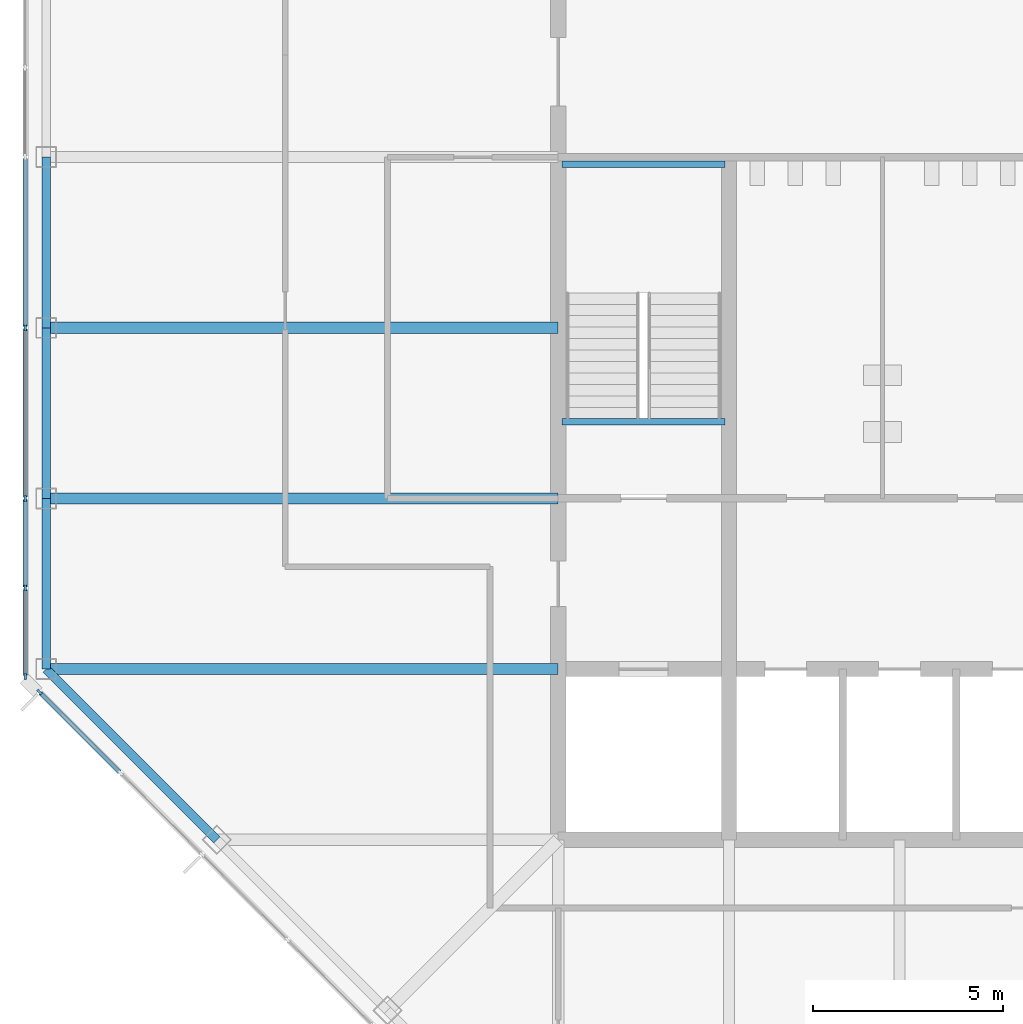
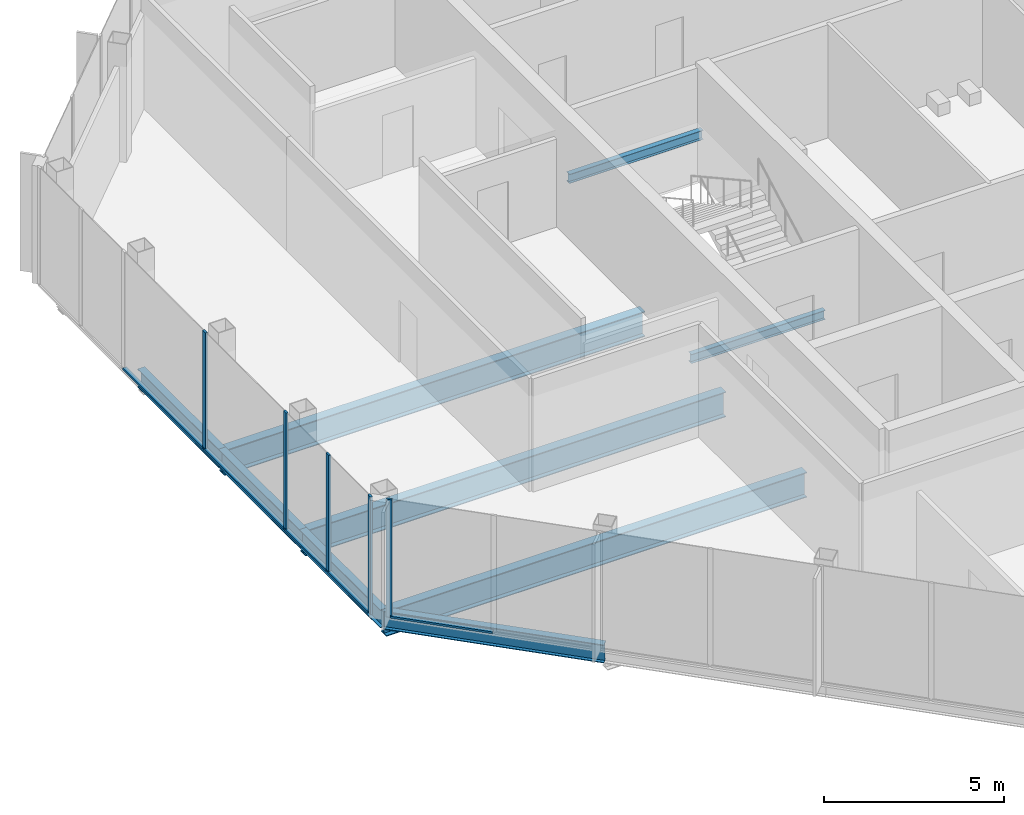
# One storey, part 3 of 13: 10 members, 9 beams, 2 elements without a shape of their own.
"""IFC4 building model written with IfcOpenShell, lengths in metres."""

from ifc_helpers import new_model, si_unit, direction, frame, origin, origin_2d, place, context, subcontext, project, spatial, rectangle, i_section, extrude, material, material_profile, profile_set, type_object, element, aggregate, save


model = new_model("IFC4")

# Units and contexts
model_context = context("Model", 3, precision=1e-05, world=origin(), true_north=direction((0.0, 1.0)))
body_context = subcontext(model_context, "Body", "Model", "MODEL_VIEW")
ifc_project = project(units=[si_unit("LENGTHUNIT", "METRE"), si_unit("AREAUNIT", "SQUARE_METRE"), si_unit("VOLUMEUNIT", "CUBIC_METRE"), si_unit("PLANEANGLEUNIT", "RADIAN"), si_unit("MASSUNIT", "GRAM", prefix="KILO")], contexts=[model_context])

# Site, building, storey
site_placement = place(None, origin())
site = spatial("IfcSite", under=ifc_project, at=site_placement, CompositionType="ELEMENT")
building_placement = place(site_placement, origin())
building = spatial("IfcBuilding", under=site, at=building_placement, Name="Corais Broadcast Tower", CompositionType="ELEMENT")
storey_placement = place(building_placement, frame((0.0, 0.0, 302.60009765625)))
storey = spatial("IfcBuildingStorey", under=building, at=storey_placement, Name="L71", CompositionType="ELEMENT", Elevation=302.60009765625)

# Beams
ifc_material_1 = material(Name="Steel ASTM A572 Grade 50", Category="steel")
ifc_material_profile_1 = material_profile(ifc_material_1, i_section(OverallWidth=0.2939453125, OverallDepth=0.85107421875, WebThickness=0.01611328125, FlangeThickness=0.02685546875, at=origin_2d()), Name="W840x226")
ifc_profile_set_1 = profile_set([ifc_material_profile_1], Name="Steel ASTM A572 Grade 50")
beam_type_1 = type_object("IfcBeamType", Name="Floor beam W840x226", PredefinedType="BEAM", material=ifc_profile_set_1)
for number, where, z_axis, x_axis, name in (
    (1, (0.0, 18.0, -0.585693359375), (1.0, 0.0, 0.0), (0.0, 1.0, 0.0), "B1 E/3 to E/6"),
    (2, (0.0, 22.5, -0.585693359375), (1.0, 0.0, 0.0), (0.0, 1.0, 0.0), "B1 F/3 to F/6"),
    (3, (0.0, 27.0, -0.585693359375), (1.0, 0.0, 0.0), (0.0, 1.0, 0.0), "B1 G/3 to G/6"),
):
    element("IfcBeam", number, at=place(storey_placement, frame(where, z_axis=z_axis, x_axis=x_axis)), inside=storey, type_object=beam_type_1, Name=name, PredefinedType="BEAM", context=body_context, shape_type="SweptSolid", body=[
        extrude(i_section(OverallWidth=0.2939453125, OverallDepth=0.85107421875, WebThickness=0.01611328125, FlangeThickness=0.02685546875, at=origin_2d()), origin(), (0.0, 0.0, 1.0), 13.5),
    ])
ifc_material_2 = material(Name="Steel ASTM A572 Grade 50", Category="steel")
ifc_material_profile_2 = material_profile(ifc_material_2, i_section(OverallWidth=0.1650390625, OverallDepth=0.31005859375, WebThickness=0.005859375, FlangeThickness=0.009765625, at=origin_2d()), Name="W310x38.7")
ifc_profile_set_2 = profile_set([ifc_material_profile_2], Name="Steel ASTM A572 Grade 50")
beam_type_2 = type_object("IfcBeamType", Name="Landing trimmer W310x38.7", PredefinedType="BEAM", material=ifc_profile_set_2)
for number, where, z_axis, x_axis, name in (
    (4, (13.60009765625, 24.52490234375, -0.35498046875), (1.0, 0.0, 0.0), (0.0, 1.0, 0.0), "LT1 stair A landing trimmer L71"),
    (5, (13.60009765625, 31.31005859375, 1.64501953125), (1.0, 0.0, 0.0), (0.0, 1.0, 0.0), "LT1 stair A half landing trimmer L71"),
):
    element("IfcBeam", number, at=place(storey_placement, frame(where, z_axis=z_axis, x_axis=x_axis)), inside=storey, type_object=beam_type_2, Name=name, PredefinedType="BEAM", context=body_context, shape_type="SweptSolid", body=[
        extrude(i_section(OverallWidth=0.1650390625, OverallDepth=0.31005859375, WebThickness=0.005859375, FlangeThickness=0.009765625, at=origin_2d()), origin(), (0.0, 0.0, 1.0), 4.2998046875),
    ])

# Curtain wall, member
ifc_material_3 = material(Name="Aluminium and glass", Category="aluminium")
curtain_wall_type = type_object("IfcCurtainWallType", Name="Unitised fritted curtain wall CW3", PredefinedType="NOTDEFINED", material=ifc_material_3)
curtain_wall_1_placement = place(storey_placement, origin())
curtain_wall_1 = element("IfcCurtainWall", 6, at=curtain_wall_1_placement, inside=storey, type_object=curtain_wall_type, Name="CW3 curtain wall L71 1", PredefinedType="NOTDEFINED")
ifc_material_4 = material(Name="Aluminium 6063-T6", Category="aluminium")
ifc_material_profile_3 = material_profile(ifc_material_4, rectangle(XDim=0.06494140625, YDim=0.159912109375, at=origin_2d()), Name="Mullion CW3 65x160")
ifc_profile_set_3 = profile_set([ifc_material_profile_3], Name="Aluminium 6063-T6")
member_type_1 = type_object("IfcMemberType", Name="Mullion CW3 65x160", PredefinedType="MULLION", material=ifc_profile_set_3)
member_1_placement = place(storey_placement, frame((-0.17333984375, 17.3955078125, 0.0), z_axis=(0.0, 0.0, 1.0), x_axis=(-0.707106781187, -0.707106781187, 0.0)))
member_1 = element("IfcMember", 7, at=member_1_placement, type_object=member_type_1, Name="CW3 mullion 9", PredefinedType="MULLION", context=body_context, shape_type="SweptSolid", body=[
    extrude(rectangle(XDim=0.06494140625, YDim=0.159912109375, at=origin_2d()), origin(), (0.0, 0.0, 1.0), 4.0),
])

# Curtain wall, members
curtain_wall_2_placement = place(storey_placement, origin())
curtain_wall_2 = element("IfcCurtainWall", 8, at=curtain_wall_2_placement, inside=storey, type_object=curtain_wall_type, Name="CW3 curtain wall L71 2", PredefinedType="NOTDEFINED")
member_2_placement = place(storey_placement, frame((-0.550048828125, 17.8046875, 0.0), z_axis=(0.0, 0.0, 1.0), x_axis=(-1.0, 0.0, 0.0)))
member_2 = element("IfcMember", 9, at=member_2_placement, type_object=member_type_1, Name="CW3 mullion 1", PredefinedType="MULLION", context=body_context, shape_type="SweptSolid", body=[
    extrude(rectangle(XDim=0.06494140625, YDim=0.159912109375, at=origin_2d()), origin(), (0.0, 0.0, 1.0), 4.0),
])
member_3_placement = place(storey_placement, frame((-0.550048828125, 20.135986328125, 0.0), z_axis=(0.0, 0.0, 1.0), x_axis=(-1.0, 0.0, 0.0)))
member_3 = element("IfcMember", 10, at=member_3_placement, type_object=member_type_1, Name="CW3 mullion 2", PredefinedType="MULLION", context=body_context, shape_type="SweptSolid", body=[
    extrude(rectangle(XDim=0.06494140625, YDim=0.159912109375, at=origin_2d()), origin(), (0.0, 0.0, 1.0), 4.0),
])
member_4_placement = place(storey_placement, frame((-0.550048828125, 22.5, 0.0), z_axis=(0.0, 0.0, 1.0), x_axis=(-1.0, 0.0, 0.0)))
member_4 = element("IfcMember", 11, at=member_4_placement, type_object=member_type_1, Name="CW3 mullion 3", PredefinedType="MULLION", context=body_context, shape_type="SweptSolid", body=[
    extrude(rectangle(XDim=0.06494140625, YDim=0.159912109375, at=origin_2d()), origin(), (0.0, 0.0, 1.0), 4.0),
])
member_5_placement = place(storey_placement, frame((-0.550048828125, 27.0, 0.0), z_axis=(0.0, 0.0, 1.0), x_axis=(-1.0, 0.0, 0.0)))
member_5 = element("IfcMember", 12, at=member_5_placement, type_object=member_type_1, Name="CW3 mullion 4", PredefinedType="MULLION", context=body_context, shape_type="SweptSolid", body=[
    extrude(rectangle(XDim=0.06494140625, YDim=0.159912109375, at=origin_2d()), origin(), (0.0, 0.0, 1.0), 4.0),
])

# Beams
ifc_material_5 = material(Name="Steel ASTM A572 Grade 50", Category="steel")
ifc_material_profile_4 = material_profile(ifc_material_5, i_section(OverallWidth=0.22998046875, OverallDepth=0.616943359375, WebThickness=0.01318359375, FlangeThickness=0.022216796875, at=origin_2d()), Name="W610x140")
ifc_profile_set_4 = profile_set([ifc_material_profile_4], Name="Steel ASTM A572 Grade 50")
beam_type_3 = type_object("IfcBeamType", Name="Spandrel W610x140", PredefinedType="BEAM", material=ifc_profile_set_4)
beam_placement = place(storey_placement, frame((0.0, 18.0, -0.468505859375), z_axis=(0.707106781187, -0.707106781187, 0.0), x_axis=(0.707106781187, 0.707106781187, 0.0)))
element("IfcBeam", 13, at=beam_placement, inside=storey, type_object=beam_type_3, Name="SB3 E/3 to D/4", PredefinedType="BEAM", context=body_context, shape_type="SweptSolid", body=[
    extrude(i_section(OverallWidth=0.22998046875, OverallDepth=0.616943359375, WebThickness=0.01318359375, FlangeThickness=0.022216796875, at=origin_2d()), origin(), (0.0, 0.0, 1.0), 6.364013671875),
])
for number, where, z_axis, x_axis, name in (
    (14, (0.0, 22.5, -0.468505859375), (0.0, -1.0, 0.0), (1.0, 0.0, 0.0), "SB3 F/3 to E/3"),
    (15, (0.0, 27.0, -0.468505859375), (0.0, -1.0, 0.0), (1.0, 0.0, 0.0), "SB3 G/3 to F/3"),
    (16, (0.0, 31.5, -0.468505859375), (0.0, -1.0, 0.0), (1.0, 0.0, 0.0), "SB3 H/3 to G/3"),
):
    element("IfcBeam", number, at=place(storey_placement, frame(where, z_axis=z_axis, x_axis=x_axis)), inside=storey, type_object=beam_type_3, Name=name, PredefinedType="BEAM", context=body_context, shape_type="SweptSolid", body=[
        extrude(i_section(OverallWidth=0.22998046875, OverallDepth=0.616943359375, WebThickness=0.01318359375, FlangeThickness=0.022216796875, at=origin_2d()), origin(), (0.0, 0.0, 1.0), 4.5),
    ])

# Member
ifc_material_6 = material(Name="Aluminium 6063-T6", Category="aluminium")
ifc_material_profile_5 = material_profile(ifc_material_6, rectangle(XDim=0.1201171875, YDim=0.06494140625, at=origin_2d()), Name="Transom CW3 65x120")
ifc_profile_set_5 = profile_set([ifc_material_profile_5], Name="Aluminium 6063-T6")
member_type_2 = type_object("IfcMemberType", Name="Transom CW3 65x120", PredefinedType="USERDEFINED", material=ifc_profile_set_5)
member_6_placement = place(storey_placement, frame((1.934326171875, 15.287841796875, 0.032470703125), z_axis=(-0.707106781187, 0.707106781187, 0.0), x_axis=(-0.707106781187, -0.707106781187, 0.0)))
member_6 = element("IfcMember", 17, at=member_6_placement, type_object=member_type_2, Name="CW3 transom 8.1", ObjectType="TRANSOM", PredefinedType="USERDEFINED", context=body_context, shape_type="SweptSolid", body=[
    extrude(rectangle(XDim=0.1201171875, YDim=0.06494140625, at=origin_2d()), origin(), (0.0, 0.0, 1.0), 2.9482421875),
])

aggregate(curtain_wall_1, [member_1, member_6])

member_7_placement = place(storey_placement, frame((-0.550048828125, 17.837158203125, 0.032470703125), z_axis=(0.0, 1.0, 0.0), x_axis=(-1.0, 0.0, 0.0)))
member_7 = element("IfcMember", 18, at=member_7_placement, type_object=member_type_2, Name="CW3 transom 1.1", ObjectType="TRANSOM", PredefinedType="USERDEFINED", context=body_context, shape_type="SweptSolid", body=[
    extrude(rectangle(XDim=0.1201171875, YDim=0.06494140625, at=origin_2d()), origin(), (0.0, 0.0, 1.0), 2.266357421875),
])

member_8_placement = place(storey_placement, frame((-0.550048828125, 20.168701171875, 0.032470703125), z_axis=(0.0, 1.0, 0.0), x_axis=(-1.0, 0.0, 0.0)))
member_8 = element("IfcMember", 19, at=member_8_placement, type_object=member_type_2, Name="CW3 transom 2.1", ObjectType="TRANSOM", PredefinedType="USERDEFINED", context=body_context, shape_type="SweptSolid", body=[
    extrude(rectangle(XDim=0.1201171875, YDim=0.06494140625, at=origin_2d()), origin(), (0.0, 0.0, 1.0), 2.298828125),
])

member_9_placement = place(storey_placement, frame((-0.550048828125, 22.532470703125, 0.032470703125), z_axis=(0.0, 1.0, 0.0), x_axis=(-1.0, 0.0, 0.0)))
member_9 = element("IfcMember", 20, at=member_9_placement, type_object=member_type_2, Name="CW3 transom 3.1", ObjectType="TRANSOM", PredefinedType="USERDEFINED", context=body_context, shape_type="SweptSolid", body=[
    extrude(rectangle(XDim=0.1201171875, YDim=0.06494140625, at=origin_2d()), origin(), (0.0, 0.0, 1.0), 4.43505859375),
])

member_10_placement = place(storey_placement, frame((-0.550048828125, 27.032470703125, 0.032470703125), z_axis=(0.0, 1.0, 0.0), x_axis=(-1.0, 0.0, 0.0)))
member_10 = element("IfcMember", 21, at=member_10_placement, type_object=member_type_2, Name="CW3 transom 4.1", ObjectType="TRANSOM", PredefinedType="USERDEFINED", context=body_context, shape_type="SweptSolid", body=[
    extrude(rectangle(XDim=0.1201171875, YDim=0.06494140625, at=origin_2d()), origin(), (0.0, 0.0, 1.0), 4.43505859375),
])

aggregate(curtain_wall_2, [member_2, member_3, member_4, member_5, member_7, member_8, member_9, member_10])

save(model, "model.ifc")
